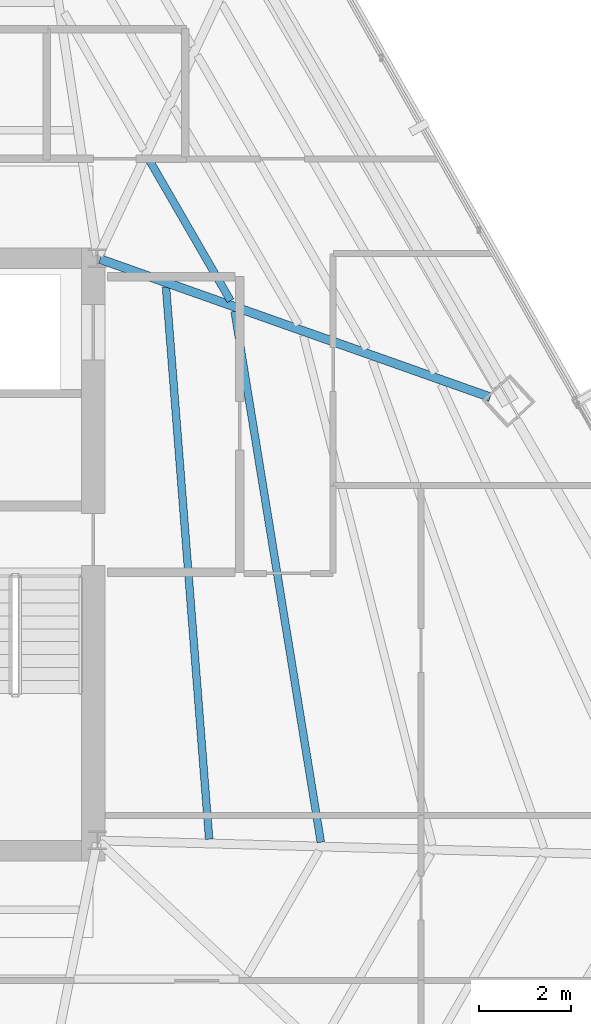
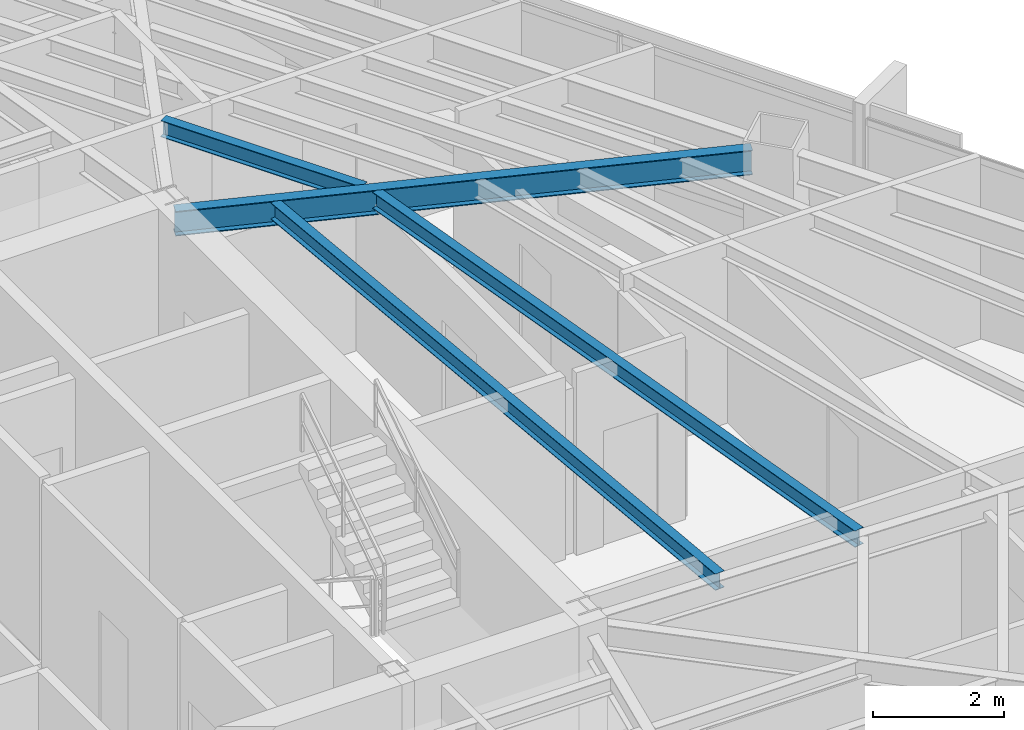
# One storey, part 25 of 42: 4 beams.
"""IFC4 building model written with IfcOpenShell, lengths in metres."""

from ifc_helpers import new_model, si_unit, direction, frame, origin, origin_2d, place, context, subcontext, project, spatial, i_section, extrude, source, transform, mapped, material, material_profile, profile_set, type_object, type_shapes, element, save


model = new_model("IFC4")

# Units and contexts
model_context = context("Model", 3, precision=1e-05, world=origin(), true_north=direction((0.0, 1.0)))
body_context = subcontext(model_context, "Body", "Model", "MODEL_VIEW")
ifc_project = project(units=[si_unit("LENGTHUNIT", "METRE"), si_unit("AREAUNIT", "SQUARE_METRE"), si_unit("VOLUMEUNIT", "CUBIC_METRE"), si_unit("PLANEANGLEUNIT", "RADIAN"), si_unit("MASSUNIT", "GRAM", prefix="KILO")], contexts=[model_context])

# Site, building, storey
site_placement = place(None, origin())
site = spatial("IfcSite", under=ifc_project, at=site_placement, CompositionType="ELEMENT")
building_placement = place(site_placement, origin())
building = spatial("IfcBuilding", under=site, at=building_placement, Name="Caelisora Broadcast Tower", CompositionType="ELEMENT")
storey_placement = place(building_placement, frame((0.0, 0.0, 205.949951171875)))
storey = spatial("IfcBuildingStorey", under=building, at=storey_placement, Name="L54", CompositionType="ELEMENT", Elevation=205.949951171875)

# Beams
ifc_material = material(Name="Steel Grade 350 (AS/NZS 3679.1)", Category="steel")
ifc_material_profile_1 = material_profile(ifc_material, i_section(OverallWidth=0.19091796875, OverallDepth=0.46044921875, WebThickness=0.010009765625, FlangeThickness=0.01611328125, at=origin_2d()), Name="Steel Grade 350 (AS/NZS 3679.1)")
ifc_profile_set_1 = profile_set([ifc_material_profile_1], Name="Steel Grade 350 (AS/NZS 3679.1)")
beam_type_1 = type_object("IfcBeamType", Name="PG06", PredefinedType="BEAM", material=ifc_profile_set_1)
shared_shape_1 = source(origin(), body_context, "Body", "SweptSolid", [
    extrude(i_section(OverallWidth=0.19091796875, OverallDepth=0.46044921875, WebThickness=0.010009765625, FlangeThickness=0.01611328125, at=origin_2d()), origin(), (0.0, 0.0, 1.0), 8.955322265625),
])
type_shapes(beam_type_1, [shared_shape_1])
beam_1_placement = place(storey_placement, frame((45.556640625, 29.97998046875, 3.169921875), z_axis=(0.942673329603, -0.333716936424, 0.0), x_axis=(0.333716936424, 0.942673329603, 0.0)))
element("IfcBeam", 1, at=beam_1_placement, inside=storey, type_object=beam_type_1, Name="L54 beam PG06", PredefinedType="BEAM", context=body_context, shape_type="MappedRepresentation", body=[
    mapped(shared_shape_1, transform((0.0, 0.0, 0.0), scale=1.0)),
])
ifc_material_profile_2 = material_profile(ifc_material, i_section(OverallWidth=0.166015625, OverallDepth=0.30712890625, WebThickness=0.006591796875, FlangeThickness=0.01171875, at=origin_2d()), Name="Steel Grade 350 (AS/NZS 3679.1)")
ifc_profile_set_2 = profile_set([ifc_material_profile_2], Name="Steel Grade 350 (AS/NZS 3679.1)")
beam_type_2 = type_object("IfcBeamType", Name="SB03", PredefinedType="JOIST", material=ifc_profile_set_2)
shared_shape_2 = source(origin(), body_context, "Body", "SweptSolid", [
    extrude(i_section(OverallWidth=0.166015625, OverallDepth=0.30712890625, WebThickness=0.006591796875, FlangeThickness=0.01171875, at=origin_2d()), origin(), (0.0, 0.0, 1.0), 3.538818359375),
])
beam_2_placement = place(storey_placement, frame((48.37890625, 29.080078125, 3.246337890625), z_axis=(-0.499975270313, 0.866039681005, 0.0), x_axis=(-0.866039681005, -0.499975270313, 0.0)))
element("IfcBeam", 2, at=beam_2_placement, inside=storey, type_object=beam_type_2, Name="L54 beam SB03", PredefinedType="JOIST", context=body_context, shape_type="MappedRepresentation", body=[
    mapped(shared_shape_2, transform((0.0, 0.0, 0.0), scale=1.0)),
])
shared_shape_3 = source(origin(), body_context, "Body", "SweptSolid", [
    extrude(i_section(OverallWidth=0.166015625, OverallDepth=0.30712890625, WebThickness=0.006591796875, FlangeThickness=0.01171875, at=origin_2d()), origin(), (0.0, 0.0, 1.0), 11.986328125),
])
beam_3_placement = place(storey_placement, frame((47.917236328125, 17.426513671875, 3.246337890625), z_axis=(-0.077908228199, 0.996960534815, 0.0), x_axis=(-0.996960534815, -0.077908228199, 0.0)))
element("IfcBeam", 3, at=beam_3_placement, inside=storey, type_object=beam_type_2, Name="L54 beam SB03", PredefinedType="JOIST", context=body_context, shape_type="MappedRepresentation", body=[
    mapped(shared_shape_3, transform((0.0, 0.0, 0.0), scale=1.0)),
])
shared_shape_4 = source(origin(), body_context, "Body", "SweptSolid", [
    extrude(i_section(OverallWidth=0.166015625, OverallDepth=0.30712890625, WebThickness=0.006591796875, FlangeThickness=0.01171875, at=origin_2d()), origin(), (0.0, 0.0, 1.0), 11.640869140625),
])
type_shapes(beam_type_2, [shared_shape_2, shared_shape_3, shared_shape_4])
beam_4_placement = place(storey_placement, frame((50.333984375, 17.360595703125, 3.246337890625), z_axis=(-0.160295945179, 0.987068999594, 0.0), x_axis=(-0.987068999594, -0.160295945179, 0.0)))
element("IfcBeam", 4, at=beam_4_placement, inside=storey, type_object=beam_type_2, Name="L54 beam SB03", PredefinedType="JOIST", context=body_context, shape_type="MappedRepresentation", body=[
    mapped(shared_shape_4, transform((0.0, 0.0, 0.0), scale=1.0)),
])

save(model, "model.ifc")
